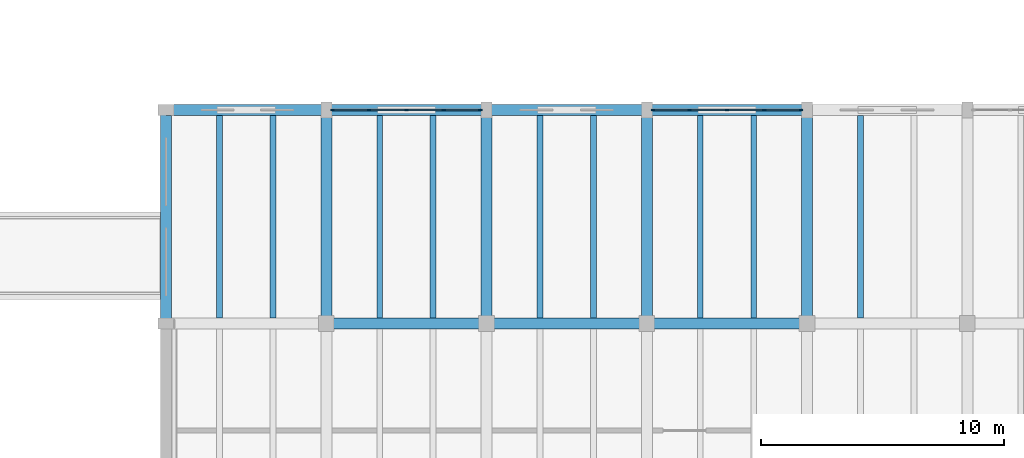
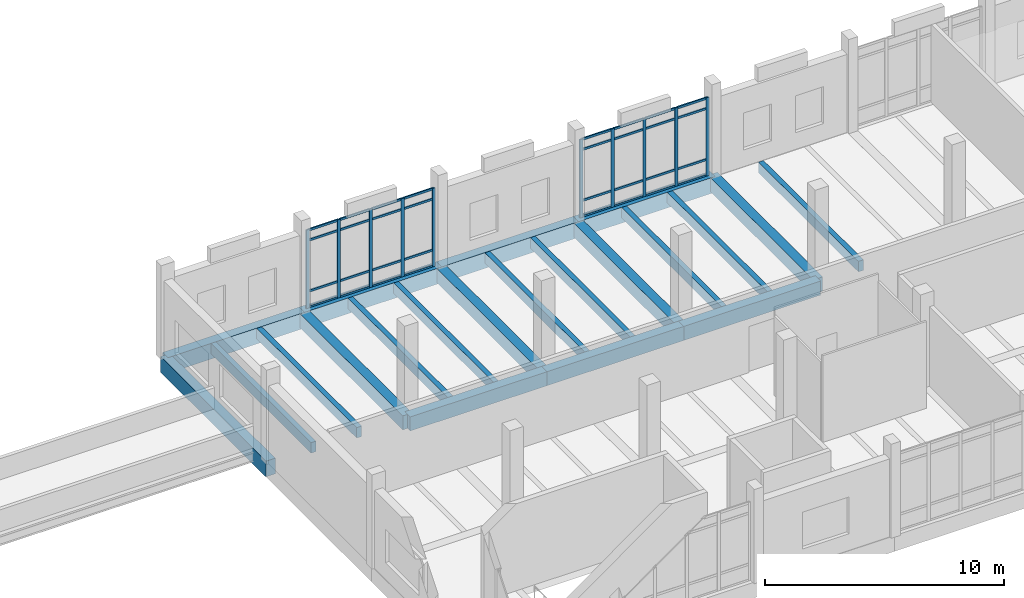
# One storey, part 11 of 76: 42 members, 21 beams, 2 elements without a shape of their own.
"""IFC4 building model written with IfcOpenShell, lengths in metres."""

from ifc_helpers import new_model, si_unit, direction, frame, origin, origin_2d, place, context, subcontext, project, spatial, rectangle, extrude, material, material_profile, profile_set, type_object, element, aggregate, save


model = new_model("IFC4")

# Units and contexts
model_context = context("Model", 3, precision=1e-05, world=origin(), true_north=direction((0.0, 1.0)))
body_context = subcontext(model_context, "Body", "Model", "MODEL_VIEW")
ifc_project = project(units=[si_unit("LENGTHUNIT", "METRE"), si_unit("AREAUNIT", "SQUARE_METRE"), si_unit("VOLUMEUNIT", "CUBIC_METRE"), si_unit("PLANEANGLEUNIT", "RADIAN"), si_unit("MASSUNIT", "GRAM", prefix="KILO")], contexts=[model_context])

# Site, building, storey
site_placement = place(None, origin())
site = spatial("IfcSite", under=ifc_project, at=site_placement, CompositionType="ELEMENT")
building_placement = place(site_placement, origin())
building = spatial("IfcBuilding", under=site, at=building_placement, Name="Dornvale Research Institute", CompositionType="ELEMENT")
storey_placement = place(building_placement, frame((0.0, 0.0, 15.0)))
storey = spatial("IfcBuildingStorey", under=building, at=storey_placement, Name="L03", CompositionType="ELEMENT", Elevation=15.0)

# Beams
ifc_material_1 = material(Name="Concrete f'c 45 MPa (C35/45)", Category="concrete")
ifc_material_profile_1 = material_profile(ifc_material_1, rectangle(XDim=0.449951171875, YDim=0.715087890625, at=origin_2d()), Name="RC 450x715")
ifc_profile_set_1 = profile_set([ifc_material_profile_1], Name="Concrete f'c 45 MPa (C35/45)")
beam_type_1 = type_object("IfcBeamType", Name="Beam_RC450x715_Lab", PredefinedType="BEAM", material=ifc_profile_set_1)
beam_1_placement = place(storey_placement, frame((105.60009765625, 17.60009765625, -0.357421875), z_axis=(1.0, 0.0, 0.0), x_axis=(0.0, 1.0, 0.0)))
element("IfcBeam", 1, at=beam_1_placement, inside=storey, type_object=beam_type_1, Name="L03 primary girder #1004", PredefinedType="BEAM", context=body_context, shape_type="SweptSolid", body=[
    extrude(rectangle(XDim=0.449951171875, YDim=0.715087890625, at=origin_2d()), origin(), (0.0, 0.0, 1.0), 6.599853515625),
])
beam_2_placement = place(storey_placement, frame((112.199951171875, 17.60009765625, -0.357421875), z_axis=(1.0, 0.0, 0.0), x_axis=(0.0, 1.0, 0.0)))
element("IfcBeam", 2, at=beam_2_placement, inside=storey, type_object=beam_type_1, Name="L03 primary girder #1005", PredefinedType="BEAM", context=body_context, shape_type="SweptSolid", body=[
    extrude(rectangle(XDim=0.449951171875, YDim=0.715087890625, at=origin_2d()), origin(), (0.0, 0.0, 1.0), 6.60009765625),
])
beam_3_placement = place(storey_placement, frame((118.800048828125, 17.60009765625, -0.357421875), z_axis=(1.0, 0.0, 0.0), x_axis=(0.0, 1.0, 0.0)))
element("IfcBeam", 3, at=beam_3_placement, inside=storey, type_object=beam_type_1, Name="L03 primary girder #1006", PredefinedType="BEAM", context=body_context, shape_type="SweptSolid", body=[
    extrude(rectangle(XDim=0.449951171875, YDim=0.715087890625, at=origin_2d()), origin(), (0.0, 0.0, 1.0), 6.599853515625),
])
for number, where, z_axis, x_axis, name in (
    (4, (105.60009765625, 17.60009765625, -0.357421875), (0.0, 1.0, 0.0), (-1.0, 0.0, 0.0), "L03 transverse girder #1031"),
    (5, (112.199951171875, 17.60009765625, -0.357421875), (0.0, 1.0, 0.0), (-1.0, 0.0, 0.0), "L03 transverse girder #1034"),
    (6, (118.800048828125, 17.60009765625, -0.357421875), (0.0, 1.0, 0.0), (-1.0, 0.0, 0.0), "L03 transverse girder #1037"),
    (7, (125.39990234375, 17.60009765625, -0.357421875), (0.0, 1.0, 0.0), (-1.0, 0.0, 0.0), "L03 transverse girder #1040"),
):
    element("IfcBeam", number, at=place(storey_placement, frame(where, z_axis=z_axis, x_axis=x_axis)), inside=storey, type_object=beam_type_1, Name=name, PredefinedType="BEAM", context=body_context, shape_type="SweptSolid", body=[
        extrude(rectangle(XDim=0.449951171875, YDim=0.715087890625, at=origin_2d()), origin(), (0.0, 0.0, 1.0), 8.7998046875),
    ])
ifc_material_2 = material(Name="Concrete f'c 45 MPa (C35/45)", Category="concrete")
ifc_material_profile_2 = material_profile(ifc_material_2, rectangle(XDim=0.239990234375, YDim=0.534912109375, at=origin_2d()), Name="RC 240x535")
ifc_profile_set_2 = profile_set([ifc_material_profile_2], Name="Concrete f'c 45 MPa (C35/45)")
beam_type_2 = type_object("IfcBeamType", Name="Joist_RC240x535_Waffle", PredefinedType="JOIST", material=ifc_profile_set_2)
for number, where, z_axis, x_axis, name in (
    (8, (101.199951171875, 17.824951171875, -0.267578125), (0.0, 1.0, 0.0), (-1.0, 0.0, 0.0), "L03 laboratory waffle joist #493"),
    (9, (103.39990234375, 17.824951171875, -0.267578125), (0.0, 1.0, 0.0), (-1.0, 0.0, 0.0), "L03 laboratory waffle joist #494"),
    (10, (107.800048828125, 17.824951171875, -0.267578125), (0.0, 1.0, 0.0), (-1.0, 0.0, 0.0), "L03 laboratory waffle joist #497"),
    (11, (110.0, 17.824951171875, -0.267578125), (0.0, 1.0, 0.0), (-1.0, 0.0, 0.0), "L03 laboratory waffle joist #498"),
    (12, (114.39990234375, 17.824951171875, -0.267578125), (0.0, 1.0, 0.0), (-1.0, 0.0, 0.0), "L03 laboratory waffle joist #501"),
    (13, (116.60009765625, 17.824951171875, -0.267578125), (0.0, 1.0, 0.0), (-1.0, 0.0, 0.0), "L03 laboratory waffle joist #502"),
    (14, (121.0, 17.824951171875, -0.267578125), (0.0, 1.0, 0.0), (-1.0, 0.0, 0.0), "L03 laboratory waffle joist #507"),
    (15, (123.199951171875, 17.824951171875, -0.267578125), (0.0, 1.0, 0.0), (-1.0, 0.0, 0.0), "L03 laboratory waffle joist #508"),
    (16, (127.60009765625, 17.824951171875, -0.267578125), (0.0, 1.0, 0.0), (-1.0, 0.0, 0.0), "L03 laboratory waffle joist #513"),
):
    element("IfcBeam", number, at=place(storey_placement, frame(where, z_axis=z_axis, x_axis=x_axis)), inside=storey, type_object=beam_type_2, Name=name, PredefinedType="JOIST", context=body_context, shape_type="SweptSolid", body=[
        extrude(rectangle(XDim=0.239990234375, YDim=0.534912109375, at=origin_2d()), origin(), (0.0, 0.0, 1.0), 8.35009765625),
    ])

# Curtain wall, members
ifc_material_3 = material(Name="Low-E Argon Double Insulating Glazing Unit", Category="glass")
curtain_wall_type = type_object("IfcCurtainWallType", Name="UnitisedCurtainWall_V3_6150x4000", PredefinedType="USERDEFINED", material=ifc_material_3)
curtain_wall_1_placement = place(storey_placement, origin())
curtain_wall_1 = element("IfcCurtainWall", 17, at=curtain_wall_1_placement, inside=storey, type_object=curtain_wall_type, Name="L03 V3 unitised curtain wall CW-06 #54", ObjectType="UNITISED CURTAIN WALL", PredefinedType="USERDEFINED")
ifc_material_4 = material(Name="Anodized Aluminum AA 6063-T6 Thermally Broken Frame", Category="aluminium")
ifc_material_profile_3 = material_profile(ifc_material_4, rectangle(XDim=0.06494140625, YDim=0.14990234375, at=origin_2d()), Name="ALU MULLION 65x150")
ifc_profile_set_3 = profile_set([ifc_material_profile_3], Name="Anodized Aluminum AA 6063-T6 Thermally Broken Frame")
member_type_1 = type_object("IfcMemberType", Name="Mullion_CW_65x150", PredefinedType="MULLION", material=ifc_profile_set_3)
member_1_placement = place(storey_placement, frame((105.857421875, 26.39990234375, 0.0), z_axis=(0.0, 0.0, 1.0), x_axis=(0.0, 1.0, 0.0)))
member_1 = element("IfcMember", 18, at=member_1_placement, type_object=member_type_1, Name="CW-06 mullion 1", PredefinedType="MULLION", context=body_context, shape_type="SweptSolid", body=[
    extrude(rectangle(XDim=0.06494140625, YDim=0.14990234375, at=origin_2d()), origin(), (0.0, 0.0, 1.0), 4.0),
])
member_2_placement = place(storey_placement, frame((107.362548828125, 26.39990234375, 0.0), z_axis=(0.0, 0.0, 1.0), x_axis=(0.0, 1.0, 0.0)))
member_2 = element("IfcMember", 19, at=member_2_placement, type_object=member_type_1, Name="CW-06 mullion 2", PredefinedType="MULLION", context=body_context, shape_type="SweptSolid", body=[
    extrude(rectangle(XDim=0.06494140625, YDim=0.14990234375, at=origin_2d()), origin(), (0.0, 0.0, 1.0), 4.0),
])
member_3_placement = place(storey_placement, frame((108.89990234375, 26.39990234375, 0.0), z_axis=(0.0, 0.0, 1.0), x_axis=(0.0, 1.0, 0.0)))
member_3 = element("IfcMember", 20, at=member_3_placement, type_object=member_type_1, Name="CW-06 mullion 3", PredefinedType="MULLION", context=body_context, shape_type="SweptSolid", body=[
    extrude(rectangle(XDim=0.06494140625, YDim=0.14990234375, at=origin_2d()), origin(), (0.0, 0.0, 1.0), 4.0),
])
member_4_placement = place(storey_placement, frame((110.4375, 26.39990234375, 0.0), z_axis=(0.0, 0.0, 1.0), x_axis=(0.0, 1.0, 0.0)))
member_4 = element("IfcMember", 21, at=member_4_placement, type_object=member_type_1, Name="CW-06 mullion 4", PredefinedType="MULLION", context=body_context, shape_type="SweptSolid", body=[
    extrude(rectangle(XDim=0.06494140625, YDim=0.14990234375, at=origin_2d()), origin(), (0.0, 0.0, 1.0), 4.0),
])
member_5_placement = place(storey_placement, frame((111.9423828125, 26.39990234375, 0.0), z_axis=(0.0, 0.0, 1.0), x_axis=(0.0, 1.0, 0.0)))
member_5 = element("IfcMember", 22, at=member_5_placement, type_object=member_type_1, Name="CW-06 mullion 5", PredefinedType="MULLION", context=body_context, shape_type="SweptSolid", body=[
    extrude(rectangle(XDim=0.06494140625, YDim=0.14990234375, at=origin_2d()), origin(), (0.0, 0.0, 1.0), 4.0),
])

curtain_wall_2_placement = place(storey_placement, origin())
curtain_wall_2 = element("IfcCurtainWall", 23, at=curtain_wall_2_placement, inside=storey, type_object=curtain_wall_type, Name="L03 V3 unitised curtain wall CW-06 #55", ObjectType="UNITISED CURTAIN WALL", PredefinedType="USERDEFINED")
member_6_placement = place(storey_placement, frame((119.0576171875, 26.39990234375, 0.0), z_axis=(0.0, 0.0, 1.0), x_axis=(0.0, 1.0, 0.0)))
member_6 = element("IfcMember", 24, at=member_6_placement, type_object=member_type_1, Name="CW-06 mullion 1", PredefinedType="MULLION", context=body_context, shape_type="SweptSolid", body=[
    extrude(rectangle(XDim=0.06494140625, YDim=0.14990234375, at=origin_2d()), origin(), (0.0, 0.0, 1.0), 4.0),
])
member_7_placement = place(storey_placement, frame((120.5625, 26.39990234375, 0.0), z_axis=(0.0, 0.0, 1.0), x_axis=(0.0, 1.0, 0.0)))
member_7 = element("IfcMember", 25, at=member_7_placement, type_object=member_type_1, Name="CW-06 mullion 2", PredefinedType="MULLION", context=body_context, shape_type="SweptSolid", body=[
    extrude(rectangle(XDim=0.06494140625, YDim=0.14990234375, at=origin_2d()), origin(), (0.0, 0.0, 1.0), 4.0),
])
member_8_placement = place(storey_placement, frame((122.10009765625, 26.39990234375, 0.0), z_axis=(0.0, 0.0, 1.0), x_axis=(0.0, 1.0, 0.0)))
member_8 = element("IfcMember", 26, at=member_8_placement, type_object=member_type_1, Name="CW-06 mullion 3", PredefinedType="MULLION", context=body_context, shape_type="SweptSolid", body=[
    extrude(rectangle(XDim=0.06494140625, YDim=0.14990234375, at=origin_2d()), origin(), (0.0, 0.0, 1.0), 4.0),
])
member_9_placement = place(storey_placement, frame((123.637451171875, 26.39990234375, 0.0), z_axis=(0.0, 0.0, 1.0), x_axis=(0.0, 1.0, 0.0)))
member_9 = element("IfcMember", 27, at=member_9_placement, type_object=member_type_1, Name="CW-06 mullion 4", PredefinedType="MULLION", context=body_context, shape_type="SweptSolid", body=[
    extrude(rectangle(XDim=0.06494140625, YDim=0.14990234375, at=origin_2d()), origin(), (0.0, 0.0, 1.0), 4.0),
])
member_10_placement = place(storey_placement, frame((125.142578125, 26.39990234375, 0.0), z_axis=(0.0, 0.0, 1.0), x_axis=(0.0, 1.0, 0.0)))
member_10 = element("IfcMember", 28, at=member_10_placement, type_object=member_type_1, Name="CW-06 mullion 5", PredefinedType="MULLION", context=body_context, shape_type="SweptSolid", body=[
    extrude(rectangle(XDim=0.06494140625, YDim=0.14990234375, at=origin_2d()), origin(), (0.0, 0.0, 1.0), 4.0),
])

# Beams
ifc_material_5 = material(Name="Concrete f'c 45 MPa (C35/45)", Category="concrete")
ifc_material_profile_4 = material_profile(ifc_material_5, rectangle(XDim=0.449951171875, YDim=0.800048828125, at=origin_2d()), Name="RC 450x800")
ifc_profile_set_4 = profile_set([ifc_material_profile_4], Name="Concrete f'c 45 MPa (C35/45)")
beam_type_3 = type_object("IfcBeamType", Name="Spandrel_RC450x800_Ext", PredefinedType="SPANDREL", material=ifc_profile_set_4)
beam_4_placement = place(storey_placement, frame((99.0, 26.39990234375, -0.39990234375), z_axis=(1.0, 0.0, 0.0), x_axis=(0.0, 1.0, 0.0)))
element("IfcBeam", 29, at=beam_4_placement, inside=storey, type_object=beam_type_3, Name="L03 perimeter spandrel #1015", PredefinedType="SPANDREL", context=body_context, shape_type="SweptSolid", body=[
    extrude(rectangle(XDim=0.449951171875, YDim=0.800048828125, at=origin_2d()), origin(), (0.0, 0.0, 1.0), 6.60009765625),
])
beam_5_placement = place(storey_placement, frame((105.60009765625, 26.39990234375, -0.39990234375), z_axis=(1.0, 0.0, 0.0), x_axis=(0.0, 1.0, 0.0)))
element("IfcBeam", 30, at=beam_5_placement, inside=storey, type_object=beam_type_3, Name="L03 perimeter spandrel #1016", PredefinedType="SPANDREL", context=body_context, shape_type="SweptSolid", body=[
    extrude(rectangle(XDim=0.449951171875, YDim=0.800048828125, at=origin_2d()), origin(), (0.0, 0.0, 1.0), 6.599853515625),
])
beam_6_placement = place(storey_placement, frame((112.199951171875, 26.39990234375, -0.39990234375), z_axis=(1.0, 0.0, 0.0), x_axis=(0.0, 1.0, 0.0)))
element("IfcBeam", 31, at=beam_6_placement, inside=storey, type_object=beam_type_3, Name="L03 perimeter spandrel #1017", PredefinedType="SPANDREL", context=body_context, shape_type="SweptSolid", body=[
    extrude(rectangle(XDim=0.449951171875, YDim=0.800048828125, at=origin_2d()), origin(), (0.0, 0.0, 1.0), 6.60009765625),
])
beam_7_placement = place(storey_placement, frame((118.800048828125, 26.39990234375, -0.39990234375), z_axis=(1.0, 0.0, 0.0), x_axis=(0.0, 1.0, 0.0)))
element("IfcBeam", 32, at=beam_7_placement, inside=storey, type_object=beam_type_3, Name="L03 perimeter spandrel #1018", PredefinedType="SPANDREL", context=body_context, shape_type="SweptSolid", body=[
    extrude(rectangle(XDim=0.449951171875, YDim=0.800048828125, at=origin_2d()), origin(), (0.0, 0.0, 1.0), 6.599853515625),
])
beam_8_placement = place(storey_placement, frame((99.0, 17.60009765625, -0.39990234375), z_axis=(0.0, 1.0, 0.0), x_axis=(-1.0, 0.0, 0.0)))
element("IfcBeam", 33, at=beam_8_placement, inside=storey, type_object=beam_type_3, Name="L03 perimeter spandrel #1029", PredefinedType="SPANDREL", context=body_context, shape_type="SweptSolid", body=[
    extrude(rectangle(XDim=0.449951171875, YDim=0.800048828125, at=origin_2d()), origin(), (0.0, 0.0, 1.0), 8.7998046875),
])

# Member
ifc_material_6 = material(Name="Anodized Aluminum AA 6063-T6 Thermally Broken Frame", Category="aluminium")
ifc_material_profile_5 = material_profile(ifc_material_6, rectangle(XDim=0.06494140625, YDim=0.110107421875, at=origin_2d()), Name="ALU TRANSOM 65x110")
ifc_profile_set_5 = profile_set([ifc_material_profile_5], Name="Anodized Aluminum AA 6063-T6 Thermally Broken Frame")
member_type_2 = type_object("IfcMemberType", Name="Transom_CW_65x110", PredefinedType="USERDEFINED", material=ifc_profile_set_5)
member_11_placement = place(storey_placement, frame((105.889892578125, 26.39990234375, 0.032470703125), z_axis=(1.0, 0.0, 0.0), x_axis=(0.0, 1.0, 0.0)))
member_11 = element("IfcMember", 34, at=member_11_placement, type_object=member_type_2, Name="CW-06 transom 1.1", ObjectType="TRANSOM", PredefinedType="USERDEFINED", context=body_context, shape_type="SweptSolid", body=[
    extrude(rectangle(XDim=0.06494140625, YDim=0.110107421875, at=origin_2d()), origin(), (0.0, 0.0, 1.0), 1.440185546875),
])

member_12_placement = place(storey_placement, frame((105.889892578125, 26.39990234375, 0.85009765625), z_axis=(1.0, 0.0, 0.0), x_axis=(0.0, 1.0, 0.0)))
member_12 = element("IfcMember", 35, at=member_12_placement, type_object=member_type_2, Name="CW-06 transom 1.2", ObjectType="TRANSOM", PredefinedType="USERDEFINED", context=body_context, shape_type="SweptSolid", body=[
    extrude(rectangle(XDim=0.06494140625, YDim=0.110107421875, at=origin_2d()), origin(), (0.0, 0.0, 1.0), 1.440185546875),
])

member_13_placement = place(storey_placement, frame((105.889892578125, 26.39990234375, 3.449951171875), z_axis=(1.0, 0.0, 0.0), x_axis=(0.0, 1.0, 0.0)))
member_13 = element("IfcMember", 36, at=member_13_placement, type_object=member_type_2, Name="CW-06 transom 1.3", ObjectType="TRANSOM", PredefinedType="USERDEFINED", context=body_context, shape_type="SweptSolid", body=[
    extrude(rectangle(XDim=0.06494140625, YDim=0.110107421875, at=origin_2d()), origin(), (0.0, 0.0, 1.0), 1.440185546875),
])

member_14_placement = place(storey_placement, frame((105.889892578125, 26.39990234375, 3.967529296875), z_axis=(1.0, 0.0, 0.0), x_axis=(0.0, 1.0, 0.0)))
member_14 = element("IfcMember", 37, at=member_14_placement, type_object=member_type_2, Name="CW-06 transom 1.4", ObjectType="TRANSOM", PredefinedType="USERDEFINED", context=body_context, shape_type="SweptSolid", body=[
    extrude(rectangle(XDim=0.06494140625, YDim=0.110107421875, at=origin_2d()), origin(), (0.0, 0.0, 1.0), 1.440185546875),
])

member_15_placement = place(storey_placement, frame((107.39501953125, 26.39990234375, 0.032470703125), z_axis=(1.0, 0.0, 0.0), x_axis=(0.0, 1.0, 0.0)))
member_15 = element("IfcMember", 38, at=member_15_placement, type_object=member_type_2, Name="CW-06 transom 2.1", ObjectType="TRANSOM", PredefinedType="USERDEFINED", context=body_context, shape_type="SweptSolid", body=[
    extrude(rectangle(XDim=0.06494140625, YDim=0.110107421875, at=origin_2d()), origin(), (0.0, 0.0, 1.0), 1.472412109375),
])

member_16_placement = place(storey_placement, frame((107.39501953125, 26.39990234375, 0.85009765625), z_axis=(1.0, 0.0, 0.0), x_axis=(0.0, 1.0, 0.0)))
member_16 = element("IfcMember", 39, at=member_16_placement, type_object=member_type_2, Name="CW-06 transom 2.2", ObjectType="TRANSOM", PredefinedType="USERDEFINED", context=body_context, shape_type="SweptSolid", body=[
    extrude(rectangle(XDim=0.06494140625, YDim=0.110107421875, at=origin_2d()), origin(), (0.0, 0.0, 1.0), 1.472412109375),
])

member_17_placement = place(storey_placement, frame((107.39501953125, 26.39990234375, 3.449951171875), z_axis=(1.0, 0.0, 0.0), x_axis=(0.0, 1.0, 0.0)))
member_17 = element("IfcMember", 40, at=member_17_placement, type_object=member_type_2, Name="CW-06 transom 2.3", ObjectType="TRANSOM", PredefinedType="USERDEFINED", context=body_context, shape_type="SweptSolid", body=[
    extrude(rectangle(XDim=0.06494140625, YDim=0.110107421875, at=origin_2d()), origin(), (0.0, 0.0, 1.0), 1.472412109375),
])

member_18_placement = place(storey_placement, frame((107.39501953125, 26.39990234375, 3.967529296875), z_axis=(1.0, 0.0, 0.0), x_axis=(0.0, 1.0, 0.0)))
member_18 = element("IfcMember", 41, at=member_18_placement, type_object=member_type_2, Name="CW-06 transom 2.4", ObjectType="TRANSOM", PredefinedType="USERDEFINED", context=body_context, shape_type="SweptSolid", body=[
    extrude(rectangle(XDim=0.06494140625, YDim=0.110107421875, at=origin_2d()), origin(), (0.0, 0.0, 1.0), 1.472412109375),
])

member_19_placement = place(storey_placement, frame((108.9326171875, 26.39990234375, 0.032470703125), z_axis=(1.0, 0.0, 0.0), x_axis=(0.0, 1.0, 0.0)))
member_19 = element("IfcMember", 42, at=member_19_placement, type_object=member_type_2, Name="CW-06 transom 3.1", ObjectType="TRANSOM", PredefinedType="USERDEFINED", context=body_context, shape_type="SweptSolid", body=[
    extrude(rectangle(XDim=0.06494140625, YDim=0.110107421875, at=origin_2d()), origin(), (0.0, 0.0, 1.0), 1.472412109375),
])

member_20_placement = place(storey_placement, frame((108.9326171875, 26.39990234375, 0.85009765625), z_axis=(1.0, 0.0, 0.0), x_axis=(0.0, 1.0, 0.0)))
member_20 = element("IfcMember", 43, at=member_20_placement, type_object=member_type_2, Name="CW-06 transom 3.2", ObjectType="TRANSOM", PredefinedType="USERDEFINED", context=body_context, shape_type="SweptSolid", body=[
    extrude(rectangle(XDim=0.06494140625, YDim=0.110107421875, at=origin_2d()), origin(), (0.0, 0.0, 1.0), 1.472412109375),
])

member_21_placement = place(storey_placement, frame((108.9326171875, 26.39990234375, 3.449951171875), z_axis=(1.0, 0.0, 0.0), x_axis=(0.0, 1.0, 0.0)))
member_21 = element("IfcMember", 44, at=member_21_placement, type_object=member_type_2, Name="CW-06 transom 3.3", ObjectType="TRANSOM", PredefinedType="USERDEFINED", context=body_context, shape_type="SweptSolid", body=[
    extrude(rectangle(XDim=0.06494140625, YDim=0.110107421875, at=origin_2d()), origin(), (0.0, 0.0, 1.0), 1.472412109375),
])

member_22_placement = place(storey_placement, frame((108.9326171875, 26.39990234375, 3.967529296875), z_axis=(1.0, 0.0, 0.0), x_axis=(0.0, 1.0, 0.0)))
member_22 = element("IfcMember", 45, at=member_22_placement, type_object=member_type_2, Name="CW-06 transom 3.4", ObjectType="TRANSOM", PredefinedType="USERDEFINED", context=body_context, shape_type="SweptSolid", body=[
    extrude(rectangle(XDim=0.06494140625, YDim=0.110107421875, at=origin_2d()), origin(), (0.0, 0.0, 1.0), 1.472412109375),
])

member_23_placement = place(storey_placement, frame((110.469970703125, 26.39990234375, 0.032470703125), z_axis=(1.0, 0.0, 0.0), x_axis=(0.0, 1.0, 0.0)))
member_23 = element("IfcMember", 46, at=member_23_placement, type_object=member_type_2, Name="CW-06 transom 4.1", ObjectType="TRANSOM", PredefinedType="USERDEFINED", context=body_context, shape_type="SweptSolid", body=[
    extrude(rectangle(XDim=0.06494140625, YDim=0.110107421875, at=origin_2d()), origin(), (0.0, 0.0, 1.0), 1.43994140625),
])

member_24_placement = place(storey_placement, frame((110.469970703125, 26.39990234375, 0.85009765625), z_axis=(1.0, 0.0, 0.0), x_axis=(0.0, 1.0, 0.0)))
member_24 = element("IfcMember", 47, at=member_24_placement, type_object=member_type_2, Name="CW-06 transom 4.2", ObjectType="TRANSOM", PredefinedType="USERDEFINED", context=body_context, shape_type="SweptSolid", body=[
    extrude(rectangle(XDim=0.06494140625, YDim=0.110107421875, at=origin_2d()), origin(), (0.0, 0.0, 1.0), 1.43994140625),
])

member_25_placement = place(storey_placement, frame((110.469970703125, 26.39990234375, 3.449951171875), z_axis=(1.0, 0.0, 0.0), x_axis=(0.0, 1.0, 0.0)))
member_25 = element("IfcMember", 48, at=member_25_placement, type_object=member_type_2, Name="CW-06 transom 4.3", ObjectType="TRANSOM", PredefinedType="USERDEFINED", context=body_context, shape_type="SweptSolid", body=[
    extrude(rectangle(XDim=0.06494140625, YDim=0.110107421875, at=origin_2d()), origin(), (0.0, 0.0, 1.0), 1.43994140625),
])

member_26_placement = place(storey_placement, frame((110.469970703125, 26.39990234375, 3.967529296875), z_axis=(1.0, 0.0, 0.0), x_axis=(0.0, 1.0, 0.0)))
member_26 = element("IfcMember", 49, at=member_26_placement, type_object=member_type_2, Name="CW-06 transom 4.4", ObjectType="TRANSOM", PredefinedType="USERDEFINED", context=body_context, shape_type="SweptSolid", body=[
    extrude(rectangle(XDim=0.06494140625, YDim=0.110107421875, at=origin_2d()), origin(), (0.0, 0.0, 1.0), 1.43994140625),
])

aggregate(curtain_wall_1, [member_1, member_2, member_3, member_4, member_5, member_11, member_12, member_13, member_14, member_15, member_16, member_17, member_18, member_19, member_20, member_21, member_22, member_23, member_24, member_25, member_26])

member_27_placement = place(storey_placement, frame((119.090087890625, 26.39990234375, 0.032470703125), z_axis=(1.0, 0.0, 0.0), x_axis=(0.0, 1.0, 0.0)))
member_27 = element("IfcMember", 50, at=member_27_placement, type_object=member_type_2, Name="CW-06 transom 1.1", ObjectType="TRANSOM", PredefinedType="USERDEFINED", context=body_context, shape_type="SweptSolid", body=[
    extrude(rectangle(XDim=0.06494140625, YDim=0.110107421875, at=origin_2d()), origin(), (0.0, 0.0, 1.0), 1.43994140625),
])

member_28_placement = place(storey_placement, frame((119.090087890625, 26.39990234375, 0.85009765625), z_axis=(1.0, 0.0, 0.0), x_axis=(0.0, 1.0, 0.0)))
member_28 = element("IfcMember", 51, at=member_28_placement, type_object=member_type_2, Name="CW-06 transom 1.2", ObjectType="TRANSOM", PredefinedType="USERDEFINED", context=body_context, shape_type="SweptSolid", body=[
    extrude(rectangle(XDim=0.06494140625, YDim=0.110107421875, at=origin_2d()), origin(), (0.0, 0.0, 1.0), 1.43994140625),
])

member_29_placement = place(storey_placement, frame((119.090087890625, 26.39990234375, 3.449951171875), z_axis=(1.0, 0.0, 0.0), x_axis=(0.0, 1.0, 0.0)))
member_29 = element("IfcMember", 52, at=member_29_placement, type_object=member_type_2, Name="CW-06 transom 1.3", ObjectType="TRANSOM", PredefinedType="USERDEFINED", context=body_context, shape_type="SweptSolid", body=[
    extrude(rectangle(XDim=0.06494140625, YDim=0.110107421875, at=origin_2d()), origin(), (0.0, 0.0, 1.0), 1.43994140625),
])

member_30_placement = place(storey_placement, frame((119.090087890625, 26.39990234375, 3.967529296875), z_axis=(1.0, 0.0, 0.0), x_axis=(0.0, 1.0, 0.0)))
member_30 = element("IfcMember", 53, at=member_30_placement, type_object=member_type_2, Name="CW-06 transom 1.4", ObjectType="TRANSOM", PredefinedType="USERDEFINED", context=body_context, shape_type="SweptSolid", body=[
    extrude(rectangle(XDim=0.06494140625, YDim=0.110107421875, at=origin_2d()), origin(), (0.0, 0.0, 1.0), 1.43994140625),
])

member_31_placement = place(storey_placement, frame((120.594970703125, 26.39990234375, 0.032470703125), z_axis=(1.0, 0.0, 0.0), x_axis=(0.0, 1.0, 0.0)))
member_31 = element("IfcMember", 54, at=member_31_placement, type_object=member_type_2, Name="CW-06 transom 2.1", ObjectType="TRANSOM", PredefinedType="USERDEFINED", context=body_context, shape_type="SweptSolid", body=[
    extrude(rectangle(XDim=0.06494140625, YDim=0.110107421875, at=origin_2d()), origin(), (0.0, 0.0, 1.0), 1.472412109375),
])

member_32_placement = place(storey_placement, frame((120.594970703125, 26.39990234375, 0.85009765625), z_axis=(1.0, 0.0, 0.0), x_axis=(0.0, 1.0, 0.0)))
member_32 = element("IfcMember", 55, at=member_32_placement, type_object=member_type_2, Name="CW-06 transom 2.2", ObjectType="TRANSOM", PredefinedType="USERDEFINED", context=body_context, shape_type="SweptSolid", body=[
    extrude(rectangle(XDim=0.06494140625, YDim=0.110107421875, at=origin_2d()), origin(), (0.0, 0.0, 1.0), 1.472412109375),
])

member_33_placement = place(storey_placement, frame((120.594970703125, 26.39990234375, 3.449951171875), z_axis=(1.0, 0.0, 0.0), x_axis=(0.0, 1.0, 0.0)))
member_33 = element("IfcMember", 56, at=member_33_placement, type_object=member_type_2, Name="CW-06 transom 2.3", ObjectType="TRANSOM", PredefinedType="USERDEFINED", context=body_context, shape_type="SweptSolid", body=[
    extrude(rectangle(XDim=0.06494140625, YDim=0.110107421875, at=origin_2d()), origin(), (0.0, 0.0, 1.0), 1.472412109375),
])

member_34_placement = place(storey_placement, frame((120.594970703125, 26.39990234375, 3.967529296875), z_axis=(1.0, 0.0, 0.0), x_axis=(0.0, 1.0, 0.0)))
member_34 = element("IfcMember", 57, at=member_34_placement, type_object=member_type_2, Name="CW-06 transom 2.4", ObjectType="TRANSOM", PredefinedType="USERDEFINED", context=body_context, shape_type="SweptSolid", body=[
    extrude(rectangle(XDim=0.06494140625, YDim=0.110107421875, at=origin_2d()), origin(), (0.0, 0.0, 1.0), 1.472412109375),
])

member_35_placement = place(storey_placement, frame((122.132568359375, 26.39990234375, 0.032470703125), z_axis=(1.0, 0.0, 0.0), x_axis=(0.0, 1.0, 0.0)))
member_35 = element("IfcMember", 58, at=member_35_placement, type_object=member_type_2, Name="CW-06 transom 3.1", ObjectType="TRANSOM", PredefinedType="USERDEFINED", context=body_context, shape_type="SweptSolid", body=[
    extrude(rectangle(XDim=0.06494140625, YDim=0.110107421875, at=origin_2d()), origin(), (0.0, 0.0, 1.0), 1.472412109375),
])

member_36_placement = place(storey_placement, frame((122.132568359375, 26.39990234375, 0.85009765625), z_axis=(1.0, 0.0, 0.0), x_axis=(0.0, 1.0, 0.0)))
member_36 = element("IfcMember", 59, at=member_36_placement, type_object=member_type_2, Name="CW-06 transom 3.2", ObjectType="TRANSOM", PredefinedType="USERDEFINED", context=body_context, shape_type="SweptSolid", body=[
    extrude(rectangle(XDim=0.06494140625, YDim=0.110107421875, at=origin_2d()), origin(), (0.0, 0.0, 1.0), 1.472412109375),
])

member_37_placement = place(storey_placement, frame((122.132568359375, 26.39990234375, 3.449951171875), z_axis=(1.0, 0.0, 0.0), x_axis=(0.0, 1.0, 0.0)))
member_37 = element("IfcMember", 60, at=member_37_placement, type_object=member_type_2, Name="CW-06 transom 3.3", ObjectType="TRANSOM", PredefinedType="USERDEFINED", context=body_context, shape_type="SweptSolid", body=[
    extrude(rectangle(XDim=0.06494140625, YDim=0.110107421875, at=origin_2d()), origin(), (0.0, 0.0, 1.0), 1.472412109375),
])

member_38_placement = place(storey_placement, frame((122.132568359375, 26.39990234375, 3.967529296875), z_axis=(1.0, 0.0, 0.0), x_axis=(0.0, 1.0, 0.0)))
member_38 = element("IfcMember", 61, at=member_38_placement, type_object=member_type_2, Name="CW-06 transom 3.4", ObjectType="TRANSOM", PredefinedType="USERDEFINED", context=body_context, shape_type="SweptSolid", body=[
    extrude(rectangle(XDim=0.06494140625, YDim=0.110107421875, at=origin_2d()), origin(), (0.0, 0.0, 1.0), 1.472412109375),
])

member_39_placement = place(storey_placement, frame((123.669921875, 26.39990234375, 0.032470703125), z_axis=(1.0, 0.0, 0.0), x_axis=(0.0, 1.0, 0.0)))
member_39 = element("IfcMember", 62, at=member_39_placement, type_object=member_type_2, Name="CW-06 transom 4.1", ObjectType="TRANSOM", PredefinedType="USERDEFINED", context=body_context, shape_type="SweptSolid", body=[
    extrude(rectangle(XDim=0.06494140625, YDim=0.110107421875, at=origin_2d()), origin(), (0.0, 0.0, 1.0), 1.440185546875),
])

member_40_placement = place(storey_placement, frame((123.669921875, 26.39990234375, 0.85009765625), z_axis=(1.0, 0.0, 0.0), x_axis=(0.0, 1.0, 0.0)))
member_40 = element("IfcMember", 63, at=member_40_placement, type_object=member_type_2, Name="CW-06 transom 4.2", ObjectType="TRANSOM", PredefinedType="USERDEFINED", context=body_context, shape_type="SweptSolid", body=[
    extrude(rectangle(XDim=0.06494140625, YDim=0.110107421875, at=origin_2d()), origin(), (0.0, 0.0, 1.0), 1.440185546875),
])

member_41_placement = place(storey_placement, frame((123.669921875, 26.39990234375, 3.449951171875), z_axis=(1.0, 0.0, 0.0), x_axis=(0.0, 1.0, 0.0)))
member_41 = element("IfcMember", 64, at=member_41_placement, type_object=member_type_2, Name="CW-06 transom 4.3", ObjectType="TRANSOM", PredefinedType="USERDEFINED", context=body_context, shape_type="SweptSolid", body=[
    extrude(rectangle(XDim=0.06494140625, YDim=0.110107421875, at=origin_2d()), origin(), (0.0, 0.0, 1.0), 1.440185546875),
])

member_42_placement = place(storey_placement, frame((123.669921875, 26.39990234375, 3.967529296875), z_axis=(1.0, 0.0, 0.0), x_axis=(0.0, 1.0, 0.0)))
member_42 = element("IfcMember", 65, at=member_42_placement, type_object=member_type_2, Name="CW-06 transom 4.4", ObjectType="TRANSOM", PredefinedType="USERDEFINED", context=body_context, shape_type="SweptSolid", body=[
    extrude(rectangle(XDim=0.06494140625, YDim=0.110107421875, at=origin_2d()), origin(), (0.0, 0.0, 1.0), 1.440185546875),
])

aggregate(curtain_wall_2, [member_6, member_7, member_8, member_9, member_10, member_27, member_28, member_29, member_30, member_31, member_32, member_33, member_34, member_35, member_36, member_37, member_38, member_39, member_40, member_41, member_42])

save(model, "model.ifc")
